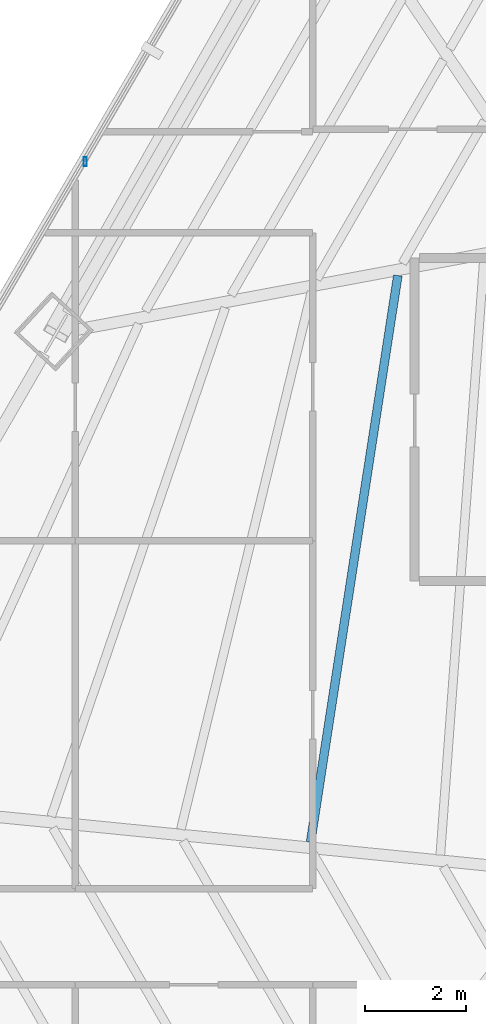
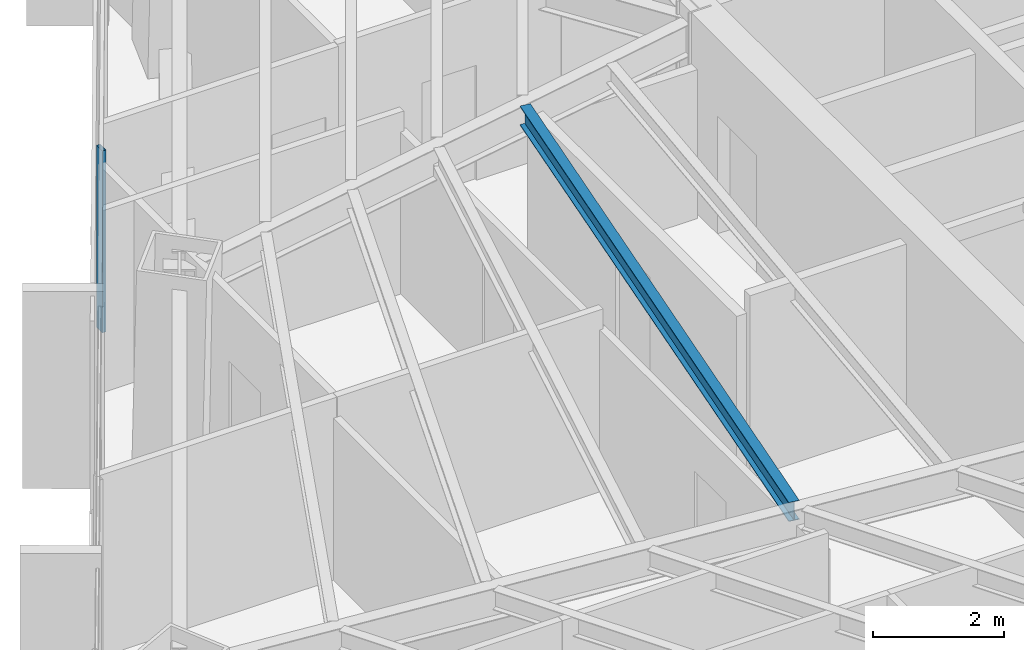
# One storey, part 13 of 37: 1 beam, 1 member, 1 element without a shape of its own.
"""IFC4 building model written with IfcOpenShell, lengths in metres."""

from ifc_helpers import new_model, si_unit, direction, frame, origin, origin_2d, place, context, subcontext, project, spatial, hollow_rectangle, i_section, extrude, source, transform, mapped, material, material_profile, profile_set, type_object, type_shapes, element, aggregate, save


model = new_model("IFC4")

# Units and contexts
model_context = context("Model", 3, precision=1e-05, world=origin(), true_north=direction((0.0, 1.0)))
body_context = subcontext(model_context, "Body", "Model", "MODEL_VIEW")
ifc_project = project(units=[si_unit("LENGTHUNIT", "METRE"), si_unit("AREAUNIT", "SQUARE_METRE"), si_unit("VOLUMEUNIT", "CUBIC_METRE"), si_unit("PLANEANGLEUNIT", "RADIAN"), si_unit("MASSUNIT", "GRAM", prefix="KILO")], contexts=[model_context])

# Site, building, storey
site_placement = place(None, origin())
site = spatial("IfcSite", under=ifc_project, at=site_placement, CompositionType="ELEMENT")
building_placement = place(site_placement, origin())
building = spatial("IfcBuilding", under=site, at=building_placement, Name="Caelisora Broadcast Tower", CompositionType="ELEMENT")
storey_placement = place(building_placement, frame((0.0, 0.0, 116.35009765625)))
storey = spatial("IfcBuildingStorey", under=building, at=storey_placement, Name="L30", CompositionType="ELEMENT", Elevation=116.35009765625)

# Beam
ifc_material_1 = material(Name="Steel Grade 350 (AS/NZS 3679.1)", Category="steel")
ifc_material_profile_1 = material_profile(ifc_material_1, i_section(OverallWidth=0.172119140625, OverallDepth=0.358642578125, WebThickness=0.008056640625, FlangeThickness=0.012939453125, at=origin_2d()), Name="Steel Grade 350 (AS/NZS 3679.1)")
ifc_profile_set_1 = profile_set([ifc_material_profile_1], Name="Steel Grade 350 (AS/NZS 3679.1)")
beam_type = type_object("IfcBeamType", Name="SB02", PredefinedType="JOIST", material=ifc_profile_set_1)
shared_shape_1 = source(origin(), body_context, "Body", "SweptSolid", [
    extrude(i_section(OverallWidth=0.172119140625, OverallDepth=0.358642578125, WebThickness=0.008056640625, FlangeThickness=0.012939453125, at=origin_2d()), origin(), (0.0, 0.0, 1.0), 11.361572265625),
])
type_shapes(beam_type, [shared_shape_1])
beam_placement = place(storey_placement, frame((27.085693359375, 29.250732421875, 3.220703125), z_axis=(-0.152179902198, -0.988352810168, 0.0), x_axis=(0.988352810168, -0.152179902198, 0.0)))
element("IfcBeam", 1, at=beam_placement, inside=storey, type_object=beam_type, Name="L30 beam SB02", PredefinedType="JOIST", context=body_context, shape_type="MappedRepresentation", body=[
    mapped(shared_shape_1, transform((0.0, 0.0, 0.0), scale=1.0)),
])

# Curtain wall, member
ifc_material_2 = material(Name="Unitised Aluminium Insulated Shadow-Box Spandrel Curtain Wall", Category="aluminium")
curtain_wall_type = type_object("IfcCurtainWallType", Name="CW-SP1", PredefinedType="NOTDEFINED", material=ifc_material_2)
curtain_wall_placement = place(storey_placement, origin())
curtain_wall = element("IfcCurtainWall", 2, at=curtain_wall_placement, inside=storey, type_object=curtain_wall_type, Name="L30 curtain wall CW-SP1", PredefinedType="NOTDEFINED")
ifc_material_3 = material(Name="Aluminium 6063-T6 Anodised Terracotta Bronze", Category="aluminium")
ifc_material_profile_2 = material_profile(ifc_material_3, hollow_rectangle(XDim=0.06494140625, YDim=0.179931640625, WallThickness=0.00341796875, at=origin_2d()), Name="Aluminium 6063-T6 Anodised Terracotta Bronze")
ifc_profile_set_2 = profile_set([ifc_material_profile_2], Name="Aluminium 6063-T6 Anodised Terracotta Bronze")
member_type = type_object("IfcMemberType", Name="CWM-02", PredefinedType="MULLION", material=ifc_profile_set_2)
shared_shape_2 = source(origin(), body_context, "Body", "SweptSolid", [
    extrude(hollow_rectangle(XDim=0.06494140625, YDim=0.179931640625, WallThickness=0.00341796875, at=origin_2d()), origin(), (0.0, 0.0, 1.0), 3.39990234375),
])
type_shapes(member_type, [shared_shape_2])
member_placement = place(storey_placement, frame((20.892578125, 31.508544921875, 0.0), z_axis=(0.0, 0.0, 1.0), x_axis=(1.0, 0.0, 0.0)))
member = element("IfcMember", 3, at=member_placement, type_object=member_type, Name="L30-CW-B10 mullion #1", PredefinedType="MULLION", context=body_context, shape_type="MappedRepresentation", body=[
    mapped(shared_shape_2, transform((0.0, 0.0, 0.0), scale=1.0)),
])
aggregate(curtain_wall, [member])

save(model, "model.ifc")
